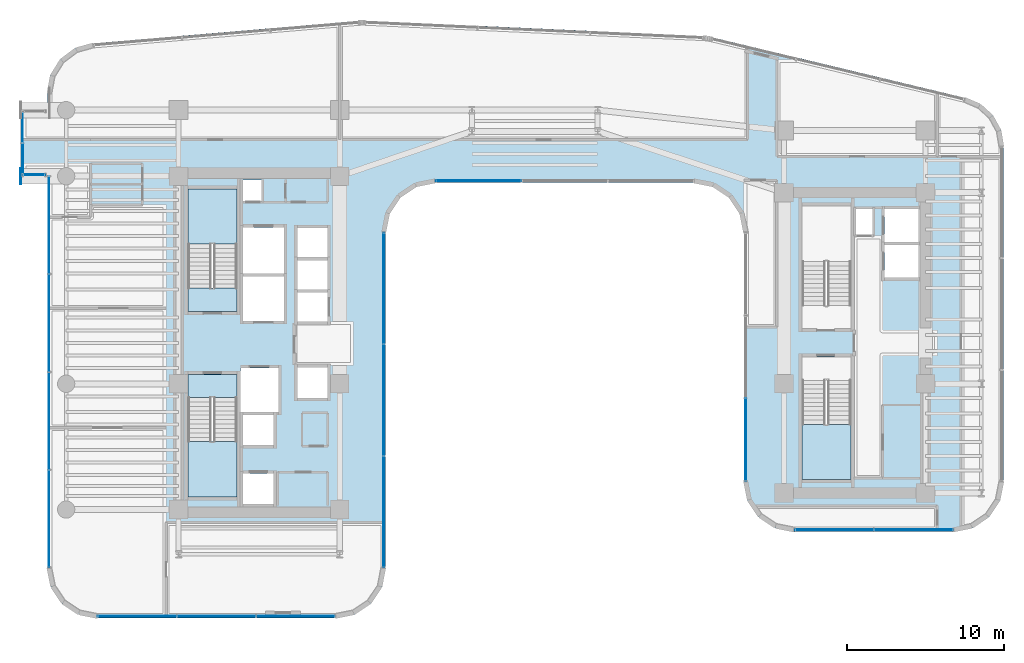
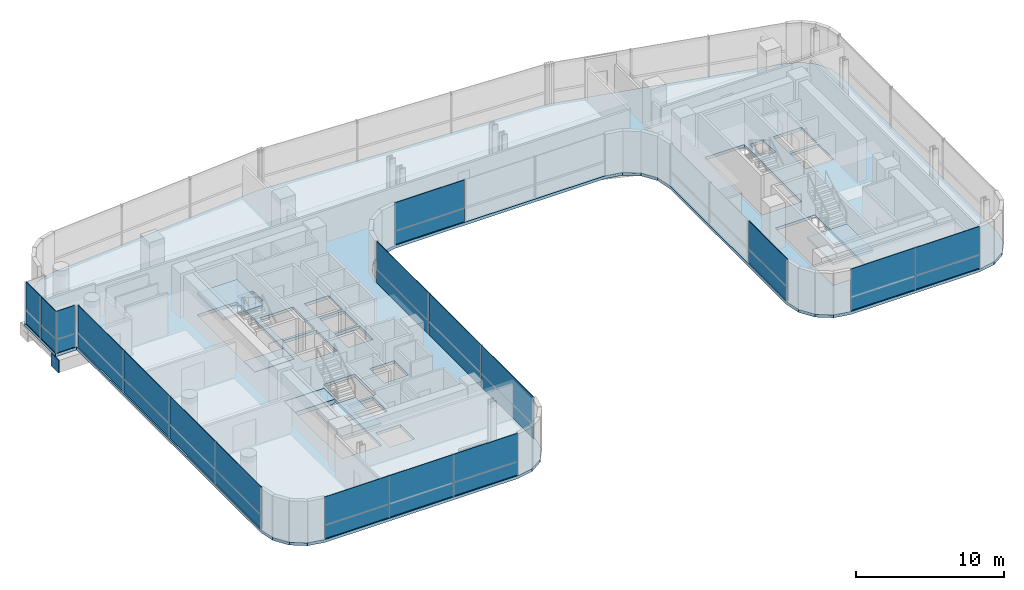
# One storey, part 25 of 34: 29 plates, 6 slabs, 11 elements without a shape of their own.
"""IFC4 building model written with IfcOpenShell, lengths in metres."""

from ifc_helpers import new_model, si_unit, direction, frame, origin, origin_2d, place, context, subcontext, project, spatial, polyline, rectangle, outline, extrude, source, transform, mapped, material, layer, layer_set, type_object, element, aggregate, save


model = new_model("IFC4")

# Units and contexts
model_context = context("Model", 3, precision=1e-05, world=origin(), true_north=direction((0.0, 1.0)))
body_context = subcontext(model_context, "Body", "Model", "MODEL_VIEW")
ifc_project = project(units=[si_unit("LENGTHUNIT", "METRE"), si_unit("AREAUNIT", "SQUARE_METRE"), si_unit("VOLUMEUNIT", "CUBIC_METRE"), si_unit("PLANEANGLEUNIT", "RADIAN"), si_unit("MASSUNIT", "GRAM", prefix="KILO")], contexts=[model_context])

# Site, building, storey
site_placement = place(None, origin())
site = spatial("IfcSite", under=ifc_project, at=site_placement, CompositionType="ELEMENT")
building_placement = place(site_placement, origin())
building = spatial("IfcBuilding", under=site, at=building_placement, Name="Valdorenza Pilgrim Sanctuary Tower", CompositionType="ELEMENT")
storey_placement = place(building_placement, frame((0.0, 0.0, 120.5)))
storey = spatial("IfcBuildingStorey", under=building, at=storey_placement, Name="L30", CompositionType="ELEMENT", Elevation=120.5)

# Slab
ifc_material_1 = material(Name="Concrete C40/50", Category="concrete")
ifc_layer_1 = layer(ifc_material_1, 0.239990234375, Name="Concrete C40/50")
ifc_layer_set_1 = layer_set([ifc_layer_1], Name="Concrete C40/50")
slab_type_1 = type_object("IfcSlabType", Name="SLAB-FLR-220", PredefinedType="FLOOR", material=ifc_layer_set_1)
slab_1_placement = place(storey_placement, frame((0.0, 0.0, -0.239990234375)))
element("IfcSlab", 1, at=slab_1_placement, inside=storey, type_object=slab_type_1, Name="L30 Structural Floor Slab 1", PredefinedType="FLOOR", context=body_context, shape_type="SweptSolid", body=[
    extrude(outline(polyline([(-30.78173828125, 17.022216796875), (-30.156494140625, 18.025390625), (-29.2099609375, 18.733154296875), (-28.071044921875, 19.049072265625), (-11.2080078125, 20.482421875), (-11.10400390625, 20.489501953125), (-10.895751953125, 20.49365234375), (10.6962890625, 19.513916015625), (10.847412109375, 19.50341796875), (10.998046875, 19.485595703125), (11.147705078125, 19.4609375), (11.2958984375, 19.42919921875), (27.344970703125, 15.587646484375), (28.323974609375, 15.17138671875), (29.1123046875, 14.45751953125), (29.623291015625, 13.5244140625), (29.800048828125, 12.4755859375), (29.800048828125, -8.800048828125), (29.556396484375, -10.024658203125), (28.86279296875, -11.062744140625), (27.82470703125, -11.75634765625), (26.60009765625, -12.0), (16.5, -12.0), (15.275390625, -11.75634765625), (14.2373046875, -11.062744140625), (13.543701171875, -10.024658203125), (13.300048828125, -8.800048828125), (13.300048828125, 7.0), (13.056396484375, 8.224609375), (12.36279296875, 9.2626953125), (11.32470703125, 9.956298828125), (10.10009765625, 10.199951171875), (-6.300048828125, 10.199951171875), (-7.524658203125, 9.956298828125), (-8.562744140625, 9.2626953125), (-9.25634765625, 8.224609375), (-9.5, 7.0), (-9.5, -14.300048828125), (-9.74365234375, -15.524658203125), (-10.437255859375, -16.562744140625), (-11.475341796875, -17.25634765625), (-12.699951171875, -17.5), (-27.800048828125, -17.5), (-29.024658203125, -17.25634765625), (-30.062744140625, -16.562744140625), (-30.75634765625, -15.524658203125), (-31.0, -14.300048828125), (-31.0, 10.60009765625), (-32.64990234375, 10.60009765625), (-32.64990234375, 14.800048828125), (-31.0, 14.800048828125), (-31.0, 15.860595703125), (-30.78173828125, 17.022216796875)]), holes=[polyline([(-16.60009765625, -10.25), (-16.60009765625, -8.300048828125), (-18.550048828125, -8.300048828125), (-18.550048828125, -10.25), (-16.60009765625, -10.25)]), polyline([(-22.050048828125, -9.800048828125), (-18.93994140625, -9.800048828125), (-18.93994140625, -3.485107421875), (-18.93994140625, -2.0), (-22.050048828125, -2.0), (-22.050048828125, -3.485107421875), (-22.050048828125, -9.800048828125)]), polyline([(-16.60009765625, -6.5), (-16.60009765625, -4.60009765625), (-18.550048828125, -4.60009765625), (-18.550048828125, -6.5), (-16.60009765625, -6.5)]), polyline([(-18.719970703125, -4.39990234375), (-16.300048828125, -4.39990234375), (-16.300048828125, -1.60009765625), (-18.719970703125, -1.60009765625), (-18.719970703125, -4.39990234375)]), polyline([(-13.179931640625, 1.35009765625), (-13.179931640625, 3.199951171875), (-15.10009765625, 3.199951171875), (-15.10009765625, 1.35009765625), (-13.179931640625, 1.35009765625)]), polyline([(-22.050048828125, 2.0), (-18.93994140625, 2.0), (-18.93994140625, 3.485107421875), (-18.93994140625, 9.800048828125), (-22.050048828125, 9.800048828125), (-22.050048828125, 3.485107421875), (-22.050048828125, 2.0)]), polyline([(-15.949951171875, 1.39990234375), (-15.949951171875, 4.22509765625), (-18.550048828125, 4.22509765625), (-18.550048828125, 1.39990234375), (-15.949951171875, 1.39990234375)]), polyline([(-18.550048828125, 4.425048828125), (-15.949951171875, 4.425048828125), (-15.949951171875, 7.35009765625), (-18.550048828125, 7.35009765625), (-18.550048828125, 4.425048828125)]), polyline([(-17.360107421875, 9.030029296875), (-17.360107421875, 10.35009765625), (-18.570068359375, 10.35009765625), (-18.570068359375, 9.030029296875), (-17.360107421875, 9.030029296875)]), polyline([(17.0, -8.699951171875), (20.110107421875, -8.699951171875), (20.110107421875, -2.385009765625), (20.110107421875, -0.89990234375), (17.0, -0.89990234375), (17.0, -2.385009765625), (17.0, -8.699951171875)]), polyline([(-13.179931640625, -3.5), (-13.179931640625, -1.550048828125), (-15.10009765625, -1.550048828125), (-15.10009765625, -3.5), (-13.179931640625, -3.5)]), polyline([(17.0, 0.89990234375), (20.110107421875, 0.89990234375), (20.110107421875, 2.385009765625), (20.110107421875, 8.699951171875), (17.0, 8.699951171875), (17.0, 2.385009765625), (17.0, 0.89990234375)]), polyline([(-13.179931640625, 3.39990234375), (-13.179931640625, 5.25), (-15.10009765625, 5.25), (-15.10009765625, 3.39990234375), (-13.179931640625, 3.39990234375)]), polyline([(22.25, 4.14990234375), (24.47998046875, 4.14990234375), (24.47998046875, 6.22509765625), (22.25, 6.22509765625), (22.25, 4.14990234375)]), polyline([(-13.179931640625, 5.449951171875), (-13.179931640625, 7.300048828125), (-15.10009765625, 7.300048828125), (-15.10009765625, 5.449951171875), (-13.179931640625, 5.449951171875)]), polyline([(22.25, 6.425048828125), (24.47998046875, 6.425048828125), (24.47998046875, 8.5), (22.25, 8.5), (22.25, 6.425048828125)]), polyline([(20.409912109375, 6.860107421875), (21.489990234375, 6.860107421875), (21.489990234375, 8.52001953125), (20.409912109375, 8.52001953125), (20.409912109375, 6.860107421875)])]), origin(), (0.0, 0.0, 1.0), 0.239990234375),
])

# Stair, slab
stair_type = type_object("IfcStairType", Name="STR-DOG-CORE", PredefinedType="HALF_TURN_STAIR", material=ifc_material_1)
stair_1_placement = place(storey_placement, origin())
stair_1 = element("IfcStair", 2, at=stair_1_placement, inside=storey, type_object=stair_type, Name="L30 ST-A1", PredefinedType="HALF_TURN_STAIR")
ifc_layer_2 = layer(ifc_material_1, 0.199951171875, Name="Concrete C40/50")
ifc_layer_set_2 = layer_set([ifc_layer_2], Name="Concrete C40/50")
slab_type_2 = type_object("IfcSlabType", Name="SLAB-STL-200", PredefinedType="LANDING", material=ifc_layer_set_2)
slab_2_placement = place(storey_placement, frame((0.0, 0.0, 1.64990234375)))
slab_2 = element("IfcSlab", 3, at=slab_2_placement, type_object=slab_type_2, Name="ST-A1 landing 1", PredefinedType="LANDING", context=body_context, shape_type="SweptSolid", body=[
    extrude(outline(polyline([(-18.93994140625, 6.280029296875), (-18.93994140625, 9.800048828125), (-22.050048828125, 9.800048828125), (-22.050048828125, 6.280029296875), (-18.93994140625, 6.280029296875)])), origin(), (0.0, 0.0, 1.0), 0.2001953125),
])
aggregate(stair_1, [slab_2])

stair_2_placement = place(storey_placement, origin())
stair_2 = element("IfcStair", 4, at=stair_2_placement, inside=storey, type_object=stair_type, Name="L30 ST-A2", PredefinedType="HALF_TURN_STAIR")
slab_3_placement = place(storey_placement, frame((0.0, 0.0, 1.64990234375)))
slab_3 = element("IfcSlab", 5, at=slab_3_placement, type_object=slab_type_2, Name="ST-A2 landing 1", PredefinedType="LANDING", context=body_context, shape_type="SweptSolid", body=[
    extrude(outline(polyline([(-22.050048828125, -6.280029296875), (-22.050048828125, -9.800048828125), (-18.93994140625, -9.800048828125), (-18.93994140625, -6.280029296875), (-22.050048828125, -6.280029296875)])), origin(), (0.0, 0.0, 1.0), 0.2001953125),
])
aggregate(stair_2, [slab_3])

stair_3_placement = place(storey_placement, origin())
stair_3 = element("IfcStair", 6, at=stair_3_placement, inside=storey, type_object=stair_type, Name="L30 ST-B2", PredefinedType="HALF_TURN_STAIR")
slab_4_placement = place(storey_placement, frame((0.0, 0.0, 1.64990234375)))
slab_4 = element("IfcSlab", 7, at=slab_4_placement, type_object=slab_type_2, Name="ST-B2 landing 1", PredefinedType="LANDING", context=body_context, shape_type="SweptSolid", body=[
    extrude(outline(polyline([(17.0, -5.179931640625), (17.0, -8.699951171875), (20.110107421875, -8.699951171875), (20.110107421875, -5.179931640625), (17.0, -5.179931640625)])), origin(), (0.0, 0.0, 1.0), 0.2001953125),
])
aggregate(stair_3, [slab_4])

# Slabs
ifc_material_2 = material(Name="Concrete C50/60", Category="concrete")
ifc_layer_3 = layer(ifc_material_2, 0.39990234375, Name="Concrete C50/60")
ifc_layer_set_3 = layer_set([ifc_layer_3], Name="Concrete C50/60")
slab_type_3 = type_object("IfcSlabType", Name="SLAB-TRF-400", PredefinedType="FLOOR", material=ifc_layer_set_3)
slab_5_placement = place(storey_placement, frame((0.0, 0.0, -0.360107421875)))
element("IfcSlab", 8, at=slab_5_placement, inside=storey, type_object=slab_type_3, Name="L30 ST-A1 Structural Stair Landing Bearing Slab", PredefinedType="FLOOR", context=body_context, shape_type="SweptSolid", body=[
    extrude(outline(polyline([(-22.050048828125, 2.0), (-18.93994140625, 2.0), (-18.93994140625, 3.485107421875), (-22.050048828125, 3.485107421875), (-22.050048828125, 2.0)])), origin(), (0.0, 0.0, 1.0), 0.360107421875),
])
slab_6_placement = place(storey_placement, frame((0.0, 0.0, -0.360107421875)))
element("IfcSlab", 9, at=slab_6_placement, inside=storey, type_object=slab_type_3, Name="L30 ST-A2 Structural Stair Landing Bearing Slab", PredefinedType="FLOOR", context=body_context, shape_type="SweptSolid", body=[
    extrude(outline(polyline([(-22.050048828125, -3.485107421875), (-18.93994140625, -3.485107421875), (-18.93994140625, -2.0), (-22.050048828125, -2.0), (-22.050048828125, -3.485107421875)])), origin(), (0.0, 0.0, 1.0), 0.360107421875),
])

# Plate
ifc_material_3 = material(Name="Steel ASTM A572 Grade 42", Category="steel")
ifc_layer_4 = layer(ifc_material_3, 0.06005859375, Name="Steel ASTM A572 Grade 42")
ifc_layer_set_4 = layer_set([ifc_layer_4], Name="Steel ASTM A572 Grade 42")
plate_type_1 = type_object("IfcPlateType", Name="PLT-CAP-60", PredefinedType="SHEET", material=ifc_layer_set_4)
shared_shape_1 = source(origin(), body_context, "Body", "SweptSolid", [
    extrude(rectangle(XDim=0.06005859375, YDim=1.0400390625, at=origin_2d()), origin(), (0.0, 0.0, 1.0), 1.0400390625),
])
plate_1_placement = place(storey_placement, frame((-32.679931640625, 10.60009765625, -1.260009765625), z_axis=(0.0, 0.0, 1.0), x_axis=(1.0, 0.0, 0.0)))
element("IfcPlate", 10, at=plate_1_placement, inside=storey, type_object=plate_type_1, Name="L30 BOX-WA-L30 Cantilever Tip End Cap S", PredefinedType="SHEET", context=body_context, shape_type="MappedRepresentation", body=[
    mapped(shared_shape_1, transform((0.0, 0.0, 0.0), x_axis=(1.0, 0.0, 0.0), y_axis=(0.0, 1.0, 0.0), z_axis=(0.0, 0.0, 1.0), scale=1.0)),
])

# Curtain wall, plates
ifc_material_4 = material(Name="Curtain-wall IGU glazing", Category="glass")
curtain_wall_type_1 = type_object("IfcCurtainWallType", Name="CW-SYS-02", PredefinedType="NOTDEFINED", material=ifc_material_4)
curtain_wall_1_placement = place(storey_placement, origin())
curtain_wall_1 = element("IfcCurtainWall", 11, at=curtain_wall_1_placement, inside=storey, type_object=curtain_wall_type_1, Name="L30 Curtain Wall CW-L30-1-36", PredefinedType="NOTDEFINED")
ifc_material_5 = material(Name="Honed travertine limestone", Category="masonry")
ifc_layer_5 = layer(ifc_material_5, 0.050048828125, Name="Honed travertine limestone")
ifc_layer_set_5 = layer_set([ifc_layer_5], Name="Honed travertine limestone")
plate_type_2 = type_object("IfcPlateType", Name="CW-SPN-TRV", PredefinedType="USERDEFINED", material=ifc_layer_set_5)
shared_shape_2 = source(origin(), body_context, "Body", "SweptSolid", [
    extrude(rectangle(XDim=5.453857421875, YDim=0.06005859375, at=origin_2d()), origin(), (0.0, 0.0, 1.0), 1.10009765625),
])
plate_2_placement = place(storey_placement, frame((-3.573974609375, 10.31005859375, 0.010009765625), z_axis=(0.0, 0.0, 1.0), x_axis=(-1.0, 0.0, 0.0)))
plate_2 = element("IfcPlate", 12, at=plate_2_placement, type_object=plate_type_2, Name="CW-L30-1-36 Travertine Spandrel 3", ObjectType="SPANDREL", PredefinedType="USERDEFINED", context=body_context, shape_type="MappedRepresentation", body=[
    mapped(shared_shape_2, transform((0.0, 0.0, 0.0), x_axis=(1.0, 0.0, 0.0), y_axis=(0.0, 1.0, 0.0), z_axis=(0.0, 0.0, 1.0), scale=1.0)),
])
ifc_material_6 = material(Name="Ceramic-fritted low-E IGU glazing", Category="glass")
ifc_layer_6 = layer(ifc_material_6, 0.035888671875, Name="Ceramic-fritted low-E IGU glazing")
ifc_layer_set_6 = layer_set([ifc_layer_6], Name="Ceramic-fritted low-E IGU glazing")
plate_type_3 = type_object("IfcPlateType", Name="CW-GLZ-IGU", PredefinedType="USERDEFINED", material=ifc_layer_set_6)
shared_shape_3 = source(origin(), body_context, "Body", "SweptSolid", [
    extrude(rectangle(XDim=5.453857421875, YDim=0.050048828125, at=origin_2d()), origin(), (0.0, 0.0, 1.0), 2.320068359375),
])
plate_3_placement = place(storey_placement, frame((-3.573974609375, 10.31005859375, 1.1298828125), z_axis=(0.0, 0.0, 1.0), x_axis=(-1.0, 0.0, 0.0)))
plate_3 = element("IfcPlate", 13, at=plate_3_placement, type_object=plate_type_3, Name="CW-L30-1-36 Facade Panel 3", ObjectType="GLAZING", PredefinedType="USERDEFINED", context=body_context, shape_type="MappedRepresentation", body=[
    mapped(shared_shape_3, transform((0.0, 0.0, 0.0), x_axis=(1.0, 0.0, 0.0), y_axis=(0.0, 1.0, 0.0), z_axis=(0.0, 0.0, 1.0), scale=1.0)),
])
aggregate(curtain_wall_1, [plate_2, plate_3])

curtain_wall_2_placement = place(storey_placement, origin())
curtain_wall_2 = element("IfcCurtainWall", 14, at=curtain_wall_2_placement, inside=storey, type_object=curtain_wall_type_1, Name="L30 Curtain Wall CW-L30-BOX-WA-L30-S", PredefinedType="NOTDEFINED")
shared_shape_4 = source(origin(), body_context, "Body", "SweptSolid", [
    extrude(rectangle(XDim=1.43994140625, YDim=0.06005859375, at=origin_2d()), origin(), (0.0, 0.0, 1.0), 1.10009765625),
])
plate_4_placement = place(storey_placement, frame((-31.840087890625, 10.679931640625, 0.010009765625), z_axis=(0.0, 0.0, 1.0), x_axis=(-1.0, 0.0, 0.0)))
plate_4 = element("IfcPlate", 15, at=plate_4_placement, type_object=plate_type_2, Name="CW-L30-BOX-WA-L30-S Travertine Spandrel 1", ObjectType="SPANDREL", PredefinedType="USERDEFINED", context=body_context, shape_type="MappedRepresentation", body=[
    mapped(shared_shape_4, transform((0.0, 0.0, 0.0), x_axis=(1.0, 0.0, 0.0), y_axis=(0.0, 1.0, 0.0), z_axis=(0.0, 0.0, 1.0), scale=1.0)),
])
shared_shape_5 = source(origin(), body_context, "Body", "SweptSolid", [
    extrude(rectangle(XDim=1.43994140625, YDim=0.050048828125, at=origin_2d()), origin(), (0.0, 0.0, 1.0), 2.320068359375),
])
plate_5_placement = place(storey_placement, frame((-31.840087890625, 10.679931640625, 1.1298828125), z_axis=(0.0, 0.0, 1.0), x_axis=(-1.0, 0.0, 0.0)))
plate_5 = element("IfcPlate", 16, at=plate_5_placement, type_object=plate_type_3, Name="CW-L30-BOX-WA-L30-S Facade Panel 1", ObjectType="GLAZING", PredefinedType="USERDEFINED", context=body_context, shape_type="MappedRepresentation", body=[
    mapped(shared_shape_5, transform((0.0, 0.0, 0.0), x_axis=(1.0, 0.0, 0.0), y_axis=(0.0, 1.0, 0.0), z_axis=(0.0, 0.0, 1.0), scale=1.0)),
])
aggregate(curtain_wall_2, [plate_4, plate_5])

curtain_wall_3_placement = place(storey_placement, origin())
curtain_wall_3 = element("IfcCurtainWall", 17, at=curtain_wall_3_placement, inside=storey, type_object=curtain_wall_type_1, Name="L30 Curtain Wall CW-L30-BOX-WA-L30-F", PredefinedType="NOTDEFINED")
shared_shape_6 = source(origin(), body_context, "Body", "SweptSolid", [
    extrude(rectangle(XDim=2.0, YDim=0.06005859375, at=origin_2d()), origin(), (0.0, 0.0, 1.0), 1.10009765625),
])
plate_6_placement = place(storey_placement, frame((-32.570068359375, 11.68994140625, 0.010009765625), z_axis=(0.0, 0.0, 1.0), x_axis=(0.0, 1.0, 0.0)))
plate_6 = element("IfcPlate", 18, at=plate_6_placement, type_object=plate_type_2, Name="CW-L30-BOX-WA-L30-F Travertine Spandrel 1", ObjectType="SPANDREL", PredefinedType="USERDEFINED", context=body_context, shape_type="MappedRepresentation", body=[
    mapped(shared_shape_6, transform((0.0, 0.0, 0.0), x_axis=(1.0, 0.0, 0.0), y_axis=(0.0, 1.0, 0.0), z_axis=(0.0, 0.0, 1.0), scale=1.0)),
])
shared_shape_7 = source(origin(), body_context, "Body", "SweptSolid", [
    extrude(rectangle(XDim=2.0, YDim=0.050048828125, at=origin_2d()), origin(), (0.0, 0.0, 1.0), 2.320068359375),
])
plate_7_placement = place(storey_placement, frame((-32.570068359375, 11.68994140625, 1.1298828125), z_axis=(0.0, 0.0, 1.0), x_axis=(0.0, 1.0, 0.0)))
plate_7 = element("IfcPlate", 19, at=plate_7_placement, type_object=plate_type_3, Name="CW-L30-BOX-WA-L30-F Facade Panel 1", ObjectType="GLAZING", PredefinedType="USERDEFINED", context=body_context, shape_type="MappedRepresentation", body=[
    mapped(shared_shape_7, transform((0.0, 0.0, 0.0), x_axis=(1.0, 0.0, 0.0), y_axis=(0.0, 1.0, 0.0), z_axis=(0.0, 0.0, 1.0), scale=1.0)),
])
shared_shape_8 = source(origin(), body_context, "Body", "SweptSolid", [
    extrude(rectangle(XDim=2.0, YDim=0.050048828125, at=origin_2d()), origin(), (0.0, 0.0, 1.0), 3.43994140625),
])
plate_8_placement = place(storey_placement, frame((-32.570068359375, 13.7099609375, 0.010009765625), z_axis=(0.0, 0.0, 1.0), x_axis=(0.0, 1.0, 0.0)))
plate_8 = element("IfcPlate", 20, at=plate_8_placement, type_object=plate_type_3, Name="CW-L30-BOX-WA-L30-F Full-Height Facade Panel 2", ObjectType="GLAZING", PredefinedType="USERDEFINED", context=body_context, shape_type="MappedRepresentation", body=[
    mapped(shared_shape_8, transform((0.0, 0.0, 0.0), x_axis=(1.0, 0.0, 0.0), y_axis=(0.0, 1.0, 0.0), z_axis=(0.0, 0.0, 1.0), scale=1.0)),
])
aggregate(curtain_wall_3, [plate_6, plate_7, plate_8])

# Curtain wall, plate
curtain_wall_type_2 = type_object("IfcCurtainWallType", Name="CW-SYS-03", PredefinedType="NOTDEFINED", material=ifc_material_4)
curtain_wall_4_placement = place(storey_placement, origin())
curtain_wall_4 = element("IfcCurtainWall", 21, at=curtain_wall_4_placement, inside=storey, type_object=curtain_wall_type_2, Name="L30 Curtain Wall CW-L30-1-26", PredefinedType="NOTDEFINED")
shared_shape_9 = source(origin(), body_context, "Body", "SweptSolid", [
    extrude(rectangle(XDim=5.019287109375, YDim=0.06005859375, at=origin_2d()), origin(), (0.0, 0.0, 1.0), 1.10009765625),
])
plate_9_placement = place(storey_placement, frame((24.069580078125, -11.889892578125, 0.010009765625), z_axis=(0.0, 0.0, 1.0), x_axis=(-1.0, 0.0, 0.0)))
plate_9 = element("IfcPlate", 22, at=plate_9_placement, type_object=plate_type_2, Name="CW-L30-1-26 Travertine Spandrel 1", ObjectType="SPANDREL", PredefinedType="USERDEFINED", context=body_context, shape_type="MappedRepresentation", body=[
    mapped(shared_shape_9, transform((0.0, 0.0, 0.0), x_axis=(1.0, 0.0, 0.0), y_axis=(0.0, 1.0, 0.0), z_axis=(0.0, 0.0, 1.0), scale=1.0)),
])

curtain_wall_5_placement = place(storey_placement, origin())
curtain_wall_5 = element("IfcCurtainWall", 23, at=curtain_wall_5_placement, inside=storey, type_object=curtain_wall_type_2, Name="L30 Curtain Wall CW-L30-1-31", PredefinedType="NOTDEFINED")
shared_shape_10 = source(origin(), body_context, "Body", "SweptSolid", [
    extrude(rectangle(XDim=5.24658203125, YDim=0.06005859375, at=origin_2d()), origin(), (0.0, 0.0, 1.0), 1.10009765625),
])
plate_10_placement = place(storey_placement, frame((13.409912109375, -6.156005859375, 0.010009765625), z_axis=(0.0, 0.0, 1.0), x_axis=(0.0, 1.0, 0.0)))
plate_10 = element("IfcPlate", 24, at=plate_10_placement, type_object=plate_type_2, Name="CW-L30-1-31 Travertine Spandrel 1", ObjectType="SPANDREL", PredefinedType="USERDEFINED", context=body_context, shape_type="MappedRepresentation", body=[
    mapped(shared_shape_10, transform((0.0, 0.0, 0.0), x_axis=(1.0, 0.0, 0.0), y_axis=(0.0, 1.0, 0.0), z_axis=(0.0, 0.0, 1.0), scale=1.0)),
])

# Curtain wall, plates
curtain_wall_6_placement = place(storey_placement, origin())
curtain_wall_6 = element("IfcCurtainWall", 25, at=curtain_wall_6_placement, inside=storey, type_object=curtain_wall_type_1, Name="L30 Curtain Wall CW-L30-1-41", PredefinedType="NOTDEFINED")
shared_shape_11 = source(origin(), body_context, "Body", "SweptSolid", [
    extrude(rectangle(XDim=7.080078125, YDim=0.06005859375, at=origin_2d()), origin(), (0.0, 0.0, 1.0), 1.10009765625),
])
plate_11_placement = place(storey_placement, frame((-9.610107421875, 3.460693359375, 0.010009765625), z_axis=(0.0, 0.0, 1.0), x_axis=(0.0, -1.0, 0.0)))
plate_11 = element("IfcPlate", 26, at=plate_11_placement, type_object=plate_type_2, Name="CW-L30-1-41 Travertine Spandrel 1", ObjectType="SPANDREL", PredefinedType="USERDEFINED", context=body_context, shape_type="MappedRepresentation", body=[
    mapped(shared_shape_11, transform((0.0, 0.0, 0.0), x_axis=(1.0, 0.0, 0.0), y_axis=(0.0, 1.0, 0.0), z_axis=(0.0, 0.0, 1.0), scale=1.0)),
])
plate_12_placement = place(storey_placement, frame((-9.610107421875, -10.7392578125, 0.010009765625), z_axis=(0.0, 0.0, 1.0), x_axis=(0.0, -1.0, 0.0)))
plate_12 = element("IfcPlate", 27, at=plate_12_placement, type_object=plate_type_2, Name="CW-L30-1-41 Travertine Spandrel 3", ObjectType="SPANDREL", PredefinedType="USERDEFINED", context=body_context, shape_type="MappedRepresentation", body=[
    mapped(shared_shape_11, transform((0.0, 0.0, 0.0), x_axis=(1.0, 0.0, 0.0), y_axis=(0.0, 1.0, 0.0), z_axis=(0.0, 0.0, 1.0), scale=1.0)),
])

# Plate
shared_shape_12 = source(origin(), body_context, "Body", "SweptSolid", [
    extrude(rectangle(XDim=5.019287109375, YDim=0.050048828125, at=origin_2d()), origin(), (0.0, 0.0, 1.0), 2.320068359375),
])
plate_13_placement = place(storey_placement, frame((24.069580078125, -11.889892578125, 1.1298828125), z_axis=(0.0, 0.0, 1.0), x_axis=(-1.0, 0.0, 0.0)))
plate_13 = element("IfcPlate", 28, at=plate_13_placement, type_object=plate_type_3, Name="CW-L30-1-26 Facade Panel 1", ObjectType="GLAZING", PredefinedType="USERDEFINED", context=body_context, shape_type="MappedRepresentation", body=[
    mapped(shared_shape_12, transform((0.0, 0.0, 0.0), x_axis=(1.0, 0.0, 0.0), y_axis=(0.0, 1.0, 0.0), z_axis=(0.0, 0.0, 1.0), scale=1.0)),
])

shared_shape_13 = source(origin(), body_context, "Body", "SweptSolid", [
    extrude(rectangle(XDim=5.019287109375, YDim=0.050048828125, at=origin_2d()), origin(), (0.0, 0.0, 1.0), 3.43994140625),
])
plate_14_placement = place(storey_placement, frame((19.030517578125, -11.889892578125, 0.010009765625), z_axis=(0.0, 0.0, 1.0), x_axis=(-1.0, 0.0, 0.0)))
plate_14 = element("IfcPlate", 29, at=plate_14_placement, type_object=plate_type_3, Name="CW-L30-1-26 Full-Height Facade Panel 2", ObjectType="GLAZING", PredefinedType="USERDEFINED", context=body_context, shape_type="MappedRepresentation", body=[
    mapped(shared_shape_13, transform((0.0, 0.0, 0.0), x_axis=(1.0, 0.0, 0.0), y_axis=(0.0, 1.0, 0.0), z_axis=(0.0, 0.0, 1.0), scale=1.0)),
])

aggregate(curtain_wall_4, [plate_9, plate_13, plate_14])

shared_shape_14 = source(origin(), body_context, "Body", "SweptSolid", [
    extrude(rectangle(XDim=5.24658203125, YDim=0.050048828125, at=origin_2d()), origin(), (0.0, 0.0, 1.0), 2.320068359375),
])
plate_15_placement = place(storey_placement, frame((13.409912109375, -6.156005859375, 1.1298828125), z_axis=(0.0, 0.0, 1.0), x_axis=(0.0, 1.0, 0.0)))
plate_15 = element("IfcPlate", 30, at=plate_15_placement, type_object=plate_type_3, Name="CW-L30-1-31 Facade Panel 1", ObjectType="GLAZING", PredefinedType="USERDEFINED", context=body_context, shape_type="MappedRepresentation", body=[
    mapped(shared_shape_14, transform((0.0, 0.0, 0.0), x_axis=(1.0, 0.0, 0.0), y_axis=(0.0, 1.0, 0.0), z_axis=(0.0, 0.0, 1.0), scale=1.0)),
])

aggregate(curtain_wall_5, [plate_10, plate_15])

shared_shape_15 = source(origin(), body_context, "Body", "SweptSolid", [
    extrude(rectangle(XDim=7.080078125, YDim=0.050048828125, at=origin_2d()), origin(), (0.0, 0.0, 1.0), 2.320068359375),
])
plate_16_placement = place(storey_placement, frame((-9.610107421875, 3.460693359375, 1.1298828125), z_axis=(0.0, 0.0, 1.0), x_axis=(0.0, -1.0, 0.0)))
plate_16 = element("IfcPlate", 31, at=plate_16_placement, type_object=plate_type_3, Name="CW-L30-1-41 Facade Panel 1", ObjectType="GLAZING", PredefinedType="USERDEFINED", context=body_context, shape_type="MappedRepresentation", body=[
    mapped(shared_shape_15, transform((0.0, 0.0, 0.0), x_axis=(1.0, 0.0, 0.0), y_axis=(0.0, 1.0, 0.0), z_axis=(0.0, 0.0, 1.0), scale=1.0)),
])

plate_17_placement = place(storey_placement, frame((-9.610107421875, -10.7392578125, 1.1298828125), z_axis=(0.0, 0.0, 1.0), x_axis=(0.0, -1.0, 0.0)))
plate_17 = element("IfcPlate", 32, at=plate_17_placement, type_object=plate_type_3, Name="CW-L30-1-41 Facade Panel 3", ObjectType="GLAZING", PredefinedType="USERDEFINED", context=body_context, shape_type="MappedRepresentation", body=[
    mapped(shared_shape_15, transform((0.0, 0.0, 0.0), x_axis=(1.0, 0.0, 0.0), y_axis=(0.0, 1.0, 0.0), z_axis=(0.0, 0.0, 1.0), scale=1.0)),
])

shared_shape_16 = source(origin(), body_context, "Body", "SweptSolid", [
    extrude(rectangle(XDim=7.080078125, YDim=0.050048828125, at=origin_2d()), origin(), (0.0, 0.0, 1.0), 3.43994140625),
])
plate_18_placement = place(storey_placement, frame((-9.610107421875, -3.63916015625, 0.010009765625), z_axis=(0.0, 0.0, 1.0), x_axis=(0.0, -1.0, 0.0)))
plate_18 = element("IfcPlate", 33, at=plate_18_placement, type_object=plate_type_3, Name="CW-L30-1-41 Full-Height Facade Panel 2", ObjectType="GLAZING", PredefinedType="USERDEFINED", context=body_context, shape_type="MappedRepresentation", body=[
    mapped(shared_shape_16, transform((0.0, 0.0, 0.0), x_axis=(1.0, 0.0, 0.0), y_axis=(0.0, 1.0, 0.0), z_axis=(0.0, 0.0, 1.0), scale=1.0)),
])

aggregate(curtain_wall_6, [plate_11, plate_16, plate_18, plate_12, plate_17])

# Curtain wall, plates
curtain_wall_7_placement = place(storey_placement, origin())
curtain_wall_7 = element("IfcCurtainWall", 34, at=curtain_wall_7_placement, inside=storey, type_object=curtain_wall_type_1, Name="L30 Curtain Wall CW-L30-1-46", PredefinedType="NOTDEFINED")
shared_shape_17 = source(origin(), body_context, "Body", "SweptSolid", [
    extrude(rectangle(XDim=5.006103515625, YDim=0.06005859375, at=origin_2d()), origin(), (0.0, 0.0, 1.0), 1.10009765625),
])
plate_19_placement = place(storey_placement, frame((-15.223876953125, -17.389892578125, 0.010009765625), z_axis=(0.0, 0.0, 1.0), x_axis=(-1.0, 0.0, 0.0)))
plate_19 = element("IfcPlate", 35, at=plate_19_placement, type_object=plate_type_2, Name="CW-L30-1-46 Travertine Spandrel 1", ObjectType="SPANDREL", PredefinedType="USERDEFINED", context=body_context, shape_type="MappedRepresentation", body=[
    mapped(shared_shape_17, transform((0.0, 0.0, 0.0), x_axis=(1.0, 0.0, 0.0), y_axis=(0.0, 1.0, 0.0), z_axis=(0.0, 0.0, 1.0), scale=1.0)),
])
plate_20_placement = place(storey_placement, frame((-25.276123046875, -17.389892578125, 0.010009765625), z_axis=(0.0, 0.0, 1.0), x_axis=(-1.0, 0.0, 0.0)))
plate_20 = element("IfcPlate", 36, at=plate_20_placement, type_object=plate_type_2, Name="CW-L30-1-46 Travertine Spandrel 3", ObjectType="SPANDREL", PredefinedType="USERDEFINED", context=body_context, shape_type="MappedRepresentation", body=[
    mapped(shared_shape_17, transform((0.0, 0.0, 0.0), x_axis=(1.0, 0.0, 0.0), y_axis=(0.0, 1.0, 0.0), z_axis=(0.0, 0.0, 1.0), scale=1.0)),
])
shared_shape_18 = source(origin(), body_context, "Body", "SweptSolid", [
    extrude(rectangle(XDim=5.006103515625, YDim=0.050048828125, at=origin_2d()), origin(), (0.0, 0.0, 1.0), 2.320068359375),
])
plate_21_placement = place(storey_placement, frame((-15.223876953125, -17.389892578125, 1.1298828125), z_axis=(0.0, 0.0, 1.0), x_axis=(-1.0, 0.0, 0.0)))
plate_21 = element("IfcPlate", 37, at=plate_21_placement, type_object=plate_type_3, Name="CW-L30-1-46 Facade Panel 1", ObjectType="GLAZING", PredefinedType="USERDEFINED", context=body_context, shape_type="MappedRepresentation", body=[
    mapped(shared_shape_18, transform((0.0, 0.0, 0.0), x_axis=(1.0, 0.0, 0.0), y_axis=(0.0, 1.0, 0.0), z_axis=(0.0, 0.0, 1.0), scale=1.0)),
])
plate_22_placement = place(storey_placement, frame((-25.276123046875, -17.389892578125, 1.1298828125), z_axis=(0.0, 0.0, 1.0), x_axis=(-1.0, 0.0, 0.0)))
plate_22 = element("IfcPlate", 38, at=plate_22_placement, type_object=plate_type_3, Name="CW-L30-1-46 Facade Panel 3", ObjectType="GLAZING", PredefinedType="USERDEFINED", context=body_context, shape_type="MappedRepresentation", body=[
    mapped(shared_shape_18, transform((0.0, 0.0, 0.0), x_axis=(1.0, 0.0, 0.0), y_axis=(0.0, 1.0, 0.0), z_axis=(0.0, 0.0, 1.0), scale=1.0)),
])
shared_shape_19 = source(origin(), body_context, "Body", "SweptSolid", [
    extrude(rectangle(XDim=5.006103515625, YDim=0.050048828125, at=origin_2d()), origin(), (0.0, 0.0, 1.0), 3.43994140625),
])
plate_23_placement = place(storey_placement, frame((-20.25, -17.389892578125, 0.010009765625), z_axis=(0.0, 0.0, 1.0), x_axis=(-1.0, 0.0, 0.0)))
plate_23 = element("IfcPlate", 39, at=plate_23_placement, type_object=plate_type_3, Name="CW-L30-1-46 Full-Height Facade Panel 2", ObjectType="GLAZING", PredefinedType="USERDEFINED", context=body_context, shape_type="MappedRepresentation", body=[
    mapped(shared_shape_19, transform((0.0, 0.0, 0.0), x_axis=(1.0, 0.0, 0.0), y_axis=(0.0, 1.0, 0.0), z_axis=(0.0, 0.0, 1.0), scale=1.0)),
])
aggregate(curtain_wall_7, [plate_19, plate_21, plate_23, plate_20, plate_22])

curtain_wall_8_placement = place(storey_placement, origin())
curtain_wall_8 = element("IfcCurtainWall", 40, at=curtain_wall_8_placement, inside=storey, type_object=curtain_wall_type_1, Name="L30 Curtain Wall CW-L30-1-1S1", PredefinedType="NOTDEFINED")
shared_shape_20 = source(origin(), body_context, "Body", "SweptSolid", [
    extrude(rectangle(XDim=6.202392578125, YDim=0.06005859375, at=origin_2d()), origin(), (0.0, 0.0, 1.0), 1.10009765625),
])
plate_24_placement = place(storey_placement, frame((-30.889892578125, -11.177978515625, 0.010009765625), z_axis=(0.0, 0.0, 1.0), x_axis=(0.0, 1.0, 0.0)))
plate_24 = element("IfcPlate", 41, at=plate_24_placement, type_object=plate_type_2, Name="CW-L30-1-1S1 Travertine Spandrel 1", ObjectType="SPANDREL", PredefinedType="USERDEFINED", context=body_context, shape_type="MappedRepresentation", body=[
    mapped(shared_shape_20, transform((0.0, 0.0, 0.0), x_axis=(1.0, 0.0, 0.0), y_axis=(0.0, 1.0, 0.0), z_axis=(0.0, 0.0, 1.0), scale=1.0)),
])
plate_25_placement = place(storey_placement, frame((-30.889892578125, 1.2666015625, 0.010009765625), z_axis=(0.0, 0.0, 1.0), x_axis=(0.0, 1.0, 0.0)))
plate_25 = element("IfcPlate", 42, at=plate_25_placement, type_object=plate_type_2, Name="CW-L30-1-1S1 Travertine Spandrel 3", ObjectType="SPANDREL", PredefinedType="USERDEFINED", context=body_context, shape_type="MappedRepresentation", body=[
    mapped(shared_shape_20, transform((0.0, 0.0, 0.0), x_axis=(1.0, 0.0, 0.0), y_axis=(0.0, 1.0, 0.0), z_axis=(0.0, 0.0, 1.0), scale=1.0)),
])
shared_shape_21 = source(origin(), body_context, "Body", "SweptSolid", [
    extrude(rectangle(XDim=6.202392578125, YDim=0.050048828125, at=origin_2d()), origin(), (0.0, 0.0, 1.0), 2.320068359375),
])
plate_26_placement = place(storey_placement, frame((-30.889892578125, -11.177978515625, 1.1298828125), z_axis=(0.0, 0.0, 1.0), x_axis=(0.0, 1.0, 0.0)))
plate_26 = element("IfcPlate", 43, at=plate_26_placement, type_object=plate_type_3, Name="CW-L30-1-1S1 Facade Panel 1", ObjectType="GLAZING", PredefinedType="USERDEFINED", context=body_context, shape_type="MappedRepresentation", body=[
    mapped(shared_shape_21, transform((0.0, 0.0, 0.0), x_axis=(1.0, 0.0, 0.0), y_axis=(0.0, 1.0, 0.0), z_axis=(0.0, 0.0, 1.0), scale=1.0)),
])
plate_27_placement = place(storey_placement, frame((-30.889892578125, 1.2666015625, 1.1298828125), z_axis=(0.0, 0.0, 1.0), x_axis=(0.0, 1.0, 0.0)))
plate_27 = element("IfcPlate", 44, at=plate_27_placement, type_object=plate_type_3, Name="CW-L30-1-1S1 Facade Panel 3", ObjectType="GLAZING", PredefinedType="USERDEFINED", context=body_context, shape_type="MappedRepresentation", body=[
    mapped(shared_shape_21, transform((0.0, 0.0, 0.0), x_axis=(1.0, 0.0, 0.0), y_axis=(0.0, 1.0, 0.0), z_axis=(0.0, 0.0, 1.0), scale=1.0)),
])
shared_shape_22 = source(origin(), body_context, "Body", "SweptSolid", [
    extrude(rectangle(XDim=6.202392578125, YDim=0.050048828125, at=origin_2d()), origin(), (0.0, 0.0, 1.0), 3.43994140625),
])
plate_28_placement = place(storey_placement, frame((-30.889892578125, -4.955810546875, 0.010009765625), z_axis=(0.0, 0.0, 1.0), x_axis=(0.0, 1.0, 0.0)))
plate_28 = element("IfcPlate", 45, at=plate_28_placement, type_object=plate_type_3, Name="CW-L30-1-1S1 Full-Height Facade Panel 2", ObjectType="GLAZING", PredefinedType="USERDEFINED", context=body_context, shape_type="MappedRepresentation", body=[
    mapped(shared_shape_22, transform((0.0, 0.0, 0.0), x_axis=(1.0, 0.0, 0.0), y_axis=(0.0, 1.0, 0.0), z_axis=(0.0, 0.0, 1.0), scale=1.0)),
])
plate_29_placement = place(storey_placement, frame((-30.889892578125, 7.489013671875, 0.010009765625), z_axis=(0.0, 0.0, 1.0), x_axis=(0.0, 1.0, 0.0)))
plate_29 = element("IfcPlate", 46, at=plate_29_placement, type_object=plate_type_3, Name="CW-L30-1-1S1 Full-Height Facade Panel 4", ObjectType="GLAZING", PredefinedType="USERDEFINED", context=body_context, shape_type="MappedRepresentation", body=[
    mapped(shared_shape_22, transform((0.0, 0.0, 0.0), x_axis=(1.0, 0.0, 0.0), y_axis=(0.0, 1.0, 0.0), z_axis=(0.0, 0.0, 1.0), scale=1.0)),
])
aggregate(curtain_wall_8, [plate_24, plate_26, plate_28, plate_25, plate_27, plate_29])

save(model, "model.ifc")
